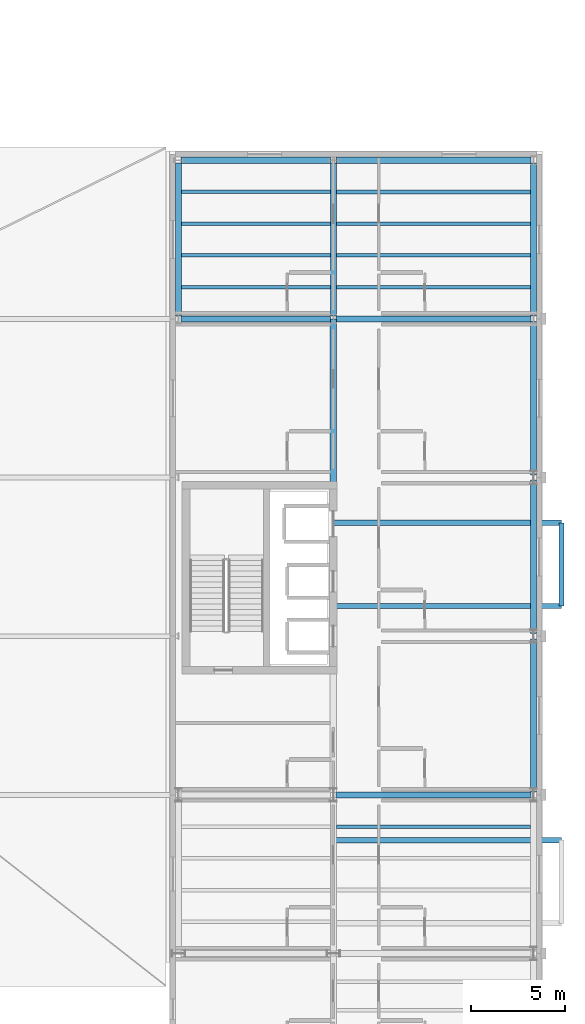
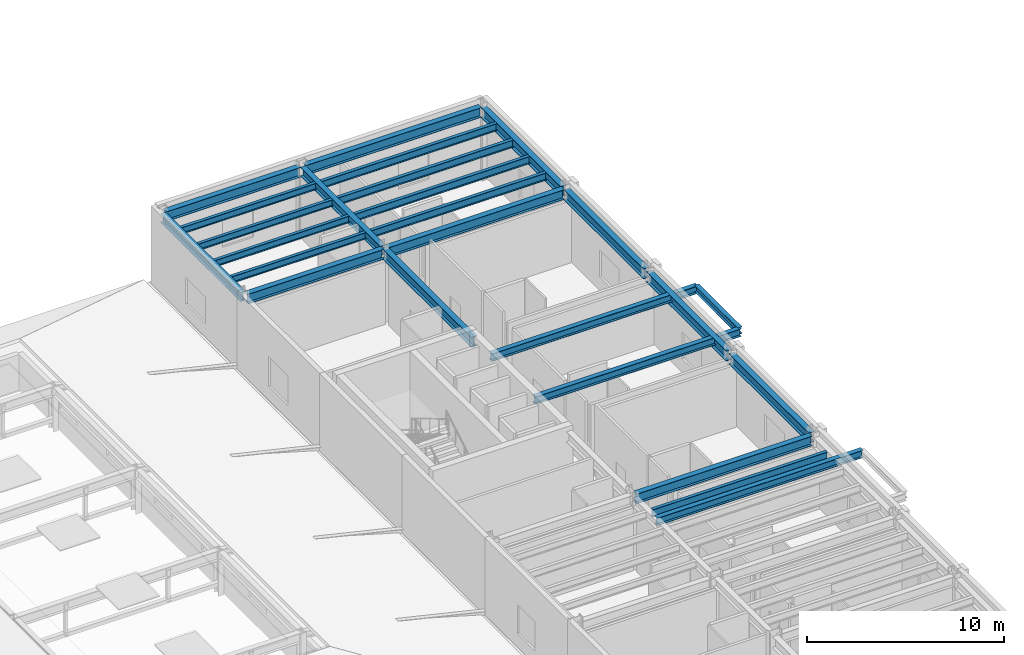
# One storey, part 52 of 91: 25 beams.
"""IFC4 building model written with IfcOpenShell, lengths in metres."""

from ifc_helpers import new_model, si_unit, direction, frame, origin, origin_2d, place, context, subcontext, project, spatial, i_section, extrude, material, material_profile, profile_set, type_object, element, save


model = new_model("IFC4")

# Units and contexts
model_context = context("Model", 3, precision=1e-05, world=origin(), true_north=direction((0.0, 1.0)))
body_context = subcontext(model_context, "Body", "Model", "MODEL_VIEW")
ifc_project = project(units=[si_unit("LENGTHUNIT", "METRE"), si_unit("AREAUNIT", "SQUARE_METRE"), si_unit("VOLUMEUNIT", "CUBIC_METRE"), si_unit("PLANEANGLEUNIT", "RADIAN"), si_unit("MASSUNIT", "GRAM", prefix="KILO")], contexts=[model_context])

# Site, building, storey
site_placement = place(None, origin())
site = spatial("IfcSite", under=ifc_project, at=site_placement, CompositionType="ELEMENT")
building_placement = place(site_placement, origin())
building = spatial("IfcBuilding", under=site, at=building_placement, Name="Sollismere Congress Hotel", CompositionType="ELEMENT")
storey_placement = place(building_placement, frame((0.0, 0.0, 10.800048828125)))
storey = spatial("IfcBuildingStorey", under=building, at=storey_placement, Name="L02", CompositionType="ELEMENT", Elevation=10.800048828125)

# Beams
ifc_material = material(Name="Steel ASTM A992 Grade 50", Category="steel")
ifc_material_profile_1 = material_profile(ifc_material, i_section(OverallWidth=0.281982421875, OverallDepth=0.471923828125, WebThickness=0.013671875, FlangeThickness=0.022216796875, at=origin_2d()), Name="W18X97")
ifc_profile_set_1 = profile_set([ifc_material_profile_1], Name="Steel ASTM A992 Grade 50")
beam_type_1 = type_object("IfcBeamType", Name="BM-CK18E", PredefinedType="BEAM", material=ifc_profile_set_1)
for number, where, z_axis, x_axis, name in (
    (1, (155.39990234375, 30.800048828125, 4.263916015625), (1.0, 0.0, 0.0), (0.0, 1.0, 0.0), "Beam BM-L02-3893"),
    (2, (155.39990234375, 43.199951171875, 4.263916015625), (1.0, 0.0, 0.0), (0.0, 1.0, 0.0), "Beam BM-L02-3895"),
    (3, (155.39990234375, 47.60009765625, 4.263916015625), (1.0, 0.0, 0.0), (0.0, 1.0, 0.0), "Beam BM-L02-3896"),
):
    element("IfcBeam", number, at=place(storey_placement, frame(where, z_axis=z_axis, x_axis=x_axis)), inside=storey, type_object=beam_type_1, Name=name, PredefinedType="BEAM", context=body_context, shape_type="SweptSolid", body=[
        extrude(i_section(OverallWidth=0.281982421875, OverallDepth=0.471923828125, WebThickness=0.013671875, FlangeThickness=0.022216796875, at=origin_2d()), origin(), (0.0, 0.0, 1.0), 12.090087890625),
    ])
ifc_material_profile_2 = material_profile(ifc_material, i_section(OverallWidth=0.31494140625, OverallDepth=0.551025390625, WebThickness=0.01513671875, FlangeThickness=0.0244140625, at=origin_2d()), Name="W21X122")
ifc_profile_set_2 = profile_set([ifc_material_profile_2], Name="Steel ASTM A992 Grade 50")
beam_type_2 = type_object("IfcBeamType", Name="BM-G21H", PredefinedType="BEAM", material=ifc_profile_set_2)
for number, where, z_axis, x_axis, name in (
    (4, (147.199951171875, 58.5400390625, 4.224365234375), (0.0, 1.0, 0.0), (-1.0, 0.0, 0.0), "Beam BM-L02-2124"),
    (5, (155.39990234375, 58.5400390625, 4.224365234375), (0.0, 1.0, 0.0), (-1.0, 0.0, 0.0), "Beam BM-L02-2129"),
):
    element("IfcBeam", number, at=place(storey_placement, frame(where, z_axis=z_axis, x_axis=x_axis)), inside=storey, type_object=beam_type_2, Name=name, PredefinedType="BEAM", context=body_context, shape_type="SweptSolid", body=[
        extrude(i_section(OverallWidth=0.31494140625, OverallDepth=0.551025390625, WebThickness=0.01513671875, FlangeThickness=0.0244140625, at=origin_2d()), origin(), (0.0, 0.0, 1.0), 8.119873046875),
    ])
ifc_material_profile_3 = material_profile(ifc_material, i_section(OverallWidth=0.324951171875, OverallDepth=0.612060546875, WebThickness=0.0126953125, FlangeThickness=0.01904296875, at=origin_2d()), Name="W24X104")
ifc_profile_set_3 = profile_set([ifc_material_profile_3], Name="Steel ASTM A992 Grade 50")
beam_type_3 = type_object("IfcBeamType", Name="BM-G24", PredefinedType="BEAM", material=ifc_profile_set_3)
beam_1_placement = place(storey_placement, frame((155.5400390625, 33.199951171875, 4.19384765625), z_axis=(1.0, 0.0, 0.0), x_axis=(0.0, 1.0, 0.0)))
element("IfcBeam", 6, at=beam_1_placement, inside=storey, type_object=beam_type_3, Name="Beam BM-L02-2013", PredefinedType="BEAM", context=body_context, shape_type="SweptSolid", body=[
    extrude(i_section(OverallWidth=0.324951171875, OverallDepth=0.612060546875, WebThickness=0.0126953125, FlangeThickness=0.01904296875, at=origin_2d()), origin(), (0.0, 0.0, 1.0), 10.320068359375),
])
beam_2_placement = place(storey_placement, frame((147.340087890625, 58.39990234375, 4.19384765625), z_axis=(1.0, 0.0, 0.0), x_axis=(0.0, 1.0, 0.0)))
element("IfcBeam", 7, at=beam_2_placement, inside=storey, type_object=beam_type_3, Name="Beam BM-L02-2021", PredefinedType="BEAM", context=body_context, shape_type="SweptSolid", body=[
    extrude(i_section(OverallWidth=0.324951171875, OverallDepth=0.612060546875, WebThickness=0.0126953125, FlangeThickness=0.01904296875, at=origin_2d()), origin(), (0.0, 0.0, 1.0), 7.919921875),
])
beam_3_placement = place(storey_placement, frame((155.5400390625, 58.39990234375, 4.19384765625), z_axis=(1.0, 0.0, 0.0), x_axis=(0.0, 1.0, 0.0)))
element("IfcBeam", 8, at=beam_3_placement, inside=storey, type_object=beam_type_3, Name="Beam BM-L02-2022", PredefinedType="BEAM", context=body_context, shape_type="SweptSolid", body=[
    extrude(i_section(OverallWidth=0.324951171875, OverallDepth=0.612060546875, WebThickness=0.0126953125, FlangeThickness=0.01904296875, at=origin_2d()), origin(), (0.0, 0.0, 1.0), 10.320068359375),
])
beam_4_placement = place(storey_placement, frame((147.340087890625, 66.800048828125, 4.19384765625), z_axis=(1.0, 0.0, 0.0), x_axis=(0.0, 1.0, 0.0)))
element("IfcBeam", 9, at=beam_4_placement, inside=storey, type_object=beam_type_3, Name="Beam BM-L02-2030", PredefinedType="BEAM", context=body_context, shape_type="SweptSolid", body=[
    extrude(i_section(OverallWidth=0.324951171875, OverallDepth=0.612060546875, WebThickness=0.0126953125, FlangeThickness=0.01904296875, at=origin_2d()), origin(), (0.0, 0.0, 1.0), 7.919921875),
])
beam_5_placement = place(storey_placement, frame((155.5400390625, 66.800048828125, 4.19384765625), z_axis=(1.0, 0.0, 0.0), x_axis=(0.0, 1.0, 0.0)))
element("IfcBeam", 10, at=beam_5_placement, inside=storey, type_object=beam_type_3, Name="Beam BM-L02-2031", PredefinedType="BEAM", context=body_context, shape_type="SweptSolid", body=[
    extrude(i_section(OverallWidth=0.324951171875, OverallDepth=0.612060546875, WebThickness=0.0126953125, FlangeThickness=0.01904296875, at=origin_2d()), origin(), (0.0, 0.0, 1.0), 10.320068359375),
])
ifc_material_profile_4 = material_profile(ifc_material, i_section(OverallWidth=0.330078125, OverallDepth=0.635009765625, WebThickness=0.017822265625, FlangeThickness=0.031005859375, at=origin_2d()), Name="W24X162")
ifc_profile_set_4 = profile_set([ifc_material_profile_4], Name="Steel ASTM A992 Grade 50")
beam_type_4 = type_object("IfcBeamType", Name="BM-G24H", PredefinedType="BEAM", material=ifc_profile_set_4)
beam_6_placement = place(storey_placement, frame((155.39990234375, 49.25, 4.182373046875), z_axis=(0.0, 1.0, 0.0), x_axis=(-1.0, 0.0, 0.0)))
element("IfcBeam", 11, at=beam_6_placement, inside=storey, type_object=beam_type_4, Name="Beam BM-L02-3876", PredefinedType="BEAM", context=body_context, shape_type="SweptSolid", body=[
    extrude(i_section(OverallWidth=0.330078125, OverallDepth=0.635009765625, WebThickness=0.017822265625, FlangeThickness=0.031005859375, at=origin_2d()), origin(), (0.0, 0.0, 1.0), 9.14990234375),
])
ifc_material_profile_5 = material_profile(ifc_material, i_section(OverallWidth=0.180908203125, OverallDepth=0.4169921875, WebThickness=0.010986328125, FlangeThickness=0.018310546875, at=origin_2d()), Name="W16X57")
ifc_profile_set_5 = profile_set([ifc_material_profile_5], Name="Steel ASTM A992 Grade 50")
beam_type_5 = type_object("IfcBeamType", Name="BM-J16", PredefinedType="JOIST", material=ifc_profile_set_5)
for number, where, z_axis, x_axis, name in (
    (12, (147.357421875, 60.080078125, 4.29150390625), (1.0, 0.0, 0.0), (0.0, 1.0, 0.0), "Beam BM-L02-2307"),
    (13, (147.357421875, 61.760009765625, 4.29150390625), (1.0, 0.0, 0.0), (0.0, 1.0, 0.0), "Beam BM-L02-2308"),
    (14, (147.357421875, 63.43994140625, 4.29150390625), (1.0, 0.0, 0.0), (0.0, 1.0, 0.0), "Beam BM-L02-2309"),
    (15, (147.357421875, 65.1201171875, 4.29150390625), (1.0, 0.0, 0.0), (0.0, 1.0, 0.0), "Beam BM-L02-2310"),
):
    element("IfcBeam", number, at=place(storey_placement, frame(where, z_axis=z_axis, x_axis=x_axis)), inside=storey, type_object=beam_type_5, Name=name, PredefinedType="JOIST", context=body_context, shape_type="SweptSolid", body=[
        extrude(i_section(OverallWidth=0.180908203125, OverallDepth=0.4169921875, WebThickness=0.010986328125, FlangeThickness=0.018310546875, at=origin_2d()), origin(), (0.0, 0.0, 1.0), 7.885009765625),
    ])
ifc_material_profile_6 = material_profile(ifc_material, i_section(OverallWidth=0.193115234375, OverallDepth=0.467041015625, WebThickness=0.011474609375, FlangeThickness=0.01904296875, at=origin_2d()), Name="W18X65")
ifc_profile_set_6 = profile_set([ifc_material_profile_6], Name="Steel ASTM A992 Grade 50")
beam_type_6 = type_object("IfcBeamType", Name="BM-J18", PredefinedType="JOIST", material=ifc_profile_set_6)
for number, where, z_axis, x_axis, name in (
    (16, (155.5576171875, 31.52001953125, 4.266357421875), (1.0, 0.0, 0.0), (0.0, 1.0, 0.0), "Beam BM-L02-2324"),
    (17, (155.5576171875, 60.080078125, 4.266357421875), (1.0, 0.0, 0.0), (0.0, 1.0, 0.0), "Beam BM-L02-2325"),
    (18, (155.5576171875, 61.760009765625, 4.266357421875), (1.0, 0.0, 0.0), (0.0, 1.0, 0.0), "Beam BM-L02-2326"),
    (19, (155.5576171875, 63.43994140625, 4.266357421875), (1.0, 0.0, 0.0), (0.0, 1.0, 0.0), "Beam BM-L02-2327"),
    (20, (155.5576171875, 65.1201171875, 4.266357421875), (1.0, 0.0, 0.0), (0.0, 1.0, 0.0), "Beam BM-L02-2328"),
):
    element("IfcBeam", number, at=place(storey_placement, frame(where, z_axis=z_axis, x_axis=x_axis)), inside=storey, type_object=beam_type_6, Name=name, PredefinedType="JOIST", context=body_context, shape_type="SweptSolid", body=[
        extrude(i_section(OverallWidth=0.193115234375, OverallDepth=0.467041015625, WebThickness=0.011474609375, FlangeThickness=0.01904296875, at=origin_2d()), origin(), (0.0, 0.0, 1.0), 10.27734375),
    ])
ifc_material_profile_7 = material_profile(ifc_material, i_section(OverallWidth=0.261962890625, OverallDepth=0.4189453125, WebThickness=0.01171875, FlangeThickness=0.019287109375, at=origin_2d()), Name="W16X77")
ifc_profile_set_7 = profile_set([ifc_material_profile_7], Name="Steel ASTM A992 Grade 50")
beam_type_7 = type_object("IfcBeamType", Name="BM-LN16E", PredefinedType="LINTEL", material=ifc_profile_set_7)
beam_7_placement = place(storey_placement, frame((167.489990234375, 43.199951171875, 4.29052734375), z_axis=(0.0, 1.0, 0.0), x_axis=(-1.0, 0.0, 0.0)))
element("IfcBeam", 21, at=beam_7_placement, inside=storey, type_object=beam_type_7, Name="Beam BM-L02-3897", PredefinedType="LINTEL", context=body_context, shape_type="SweptSolid", body=[
    extrude(i_section(OverallWidth=0.261962890625, OverallDepth=0.4189453125, WebThickness=0.01171875, FlangeThickness=0.019287109375, at=origin_2d()), origin(), (0.0, 0.0, 1.0), 4.400146484375),
])
ifc_material_profile_8 = material_profile(ifc_material, i_section(OverallWidth=0.330078125, OverallDepth=0.635009765625, WebThickness=0.017822265625, FlangeThickness=0.031005859375, at=origin_2d()), Name="W24X162")
ifc_profile_set_8 = profile_set([ifc_material_profile_8], Name="Steel ASTM A992 Grade 50")
beam_type_8 = type_object("IfcBeamType", Name="BM-SP24E", PredefinedType="SPANDREL", material=ifc_profile_set_8)
beam_8_placement = place(storey_placement, frame((166.0, 33.340087890625, 4.182373046875), z_axis=(0.0, 1.0, 0.0), x_axis=(-1.0, 0.0, 0.0)))
element("IfcBeam", 22, at=beam_8_placement, inside=storey, type_object=beam_type_8, Name="Beam BM-L02-2134", PredefinedType="SPANDREL", context=body_context, shape_type="SweptSolid", body=[
    extrude(i_section(OverallWidth=0.330078125, OverallDepth=0.635009765625, WebThickness=0.017822265625, FlangeThickness=0.031005859375, at=origin_2d()), origin(), (0.0, 0.0, 1.0), 8.119873046875),
])
for number, where, z_axis, x_axis, name in (
    (23, (166.0, 41.739990234375, 4.182373046875), (0.0, 1.0, 0.0), (-1.0, 0.0, 0.0), "Beam BM-L02-2135"),
    (24, (166.0, 50.139892578125, 4.182373046875), (0.0, 1.0, 0.0), (-1.0, 0.0, 0.0), "Beam BM-L02-2136"),
):
    element("IfcBeam", number, at=place(storey_placement, frame(where, z_axis=z_axis, x_axis=x_axis)), inside=storey, type_object=beam_type_8, Name=name, PredefinedType="SPANDREL", context=body_context, shape_type="SweptSolid", body=[
        extrude(i_section(OverallWidth=0.330078125, OverallDepth=0.635009765625, WebThickness=0.017822265625, FlangeThickness=0.031005859375, at=origin_2d()), origin(), (0.0, 0.0, 1.0), 8.1201171875),
    ])
beam_9_placement = place(storey_placement, frame((166.0, 58.5400390625, 4.182373046875), z_axis=(0.0, 1.0, 0.0), x_axis=(-1.0, 0.0, 0.0)))
element("IfcBeam", 25, at=beam_9_placement, inside=storey, type_object=beam_type_8, Name="Beam BM-L02-2137", PredefinedType="SPANDREL", context=body_context, shape_type="SweptSolid", body=[
    extrude(i_section(OverallWidth=0.330078125, OverallDepth=0.635009765625, WebThickness=0.017822265625, FlangeThickness=0.031005859375, at=origin_2d()), origin(), (0.0, 0.0, 1.0), 8.119873046875),
])

save(model, "model.ifc")
